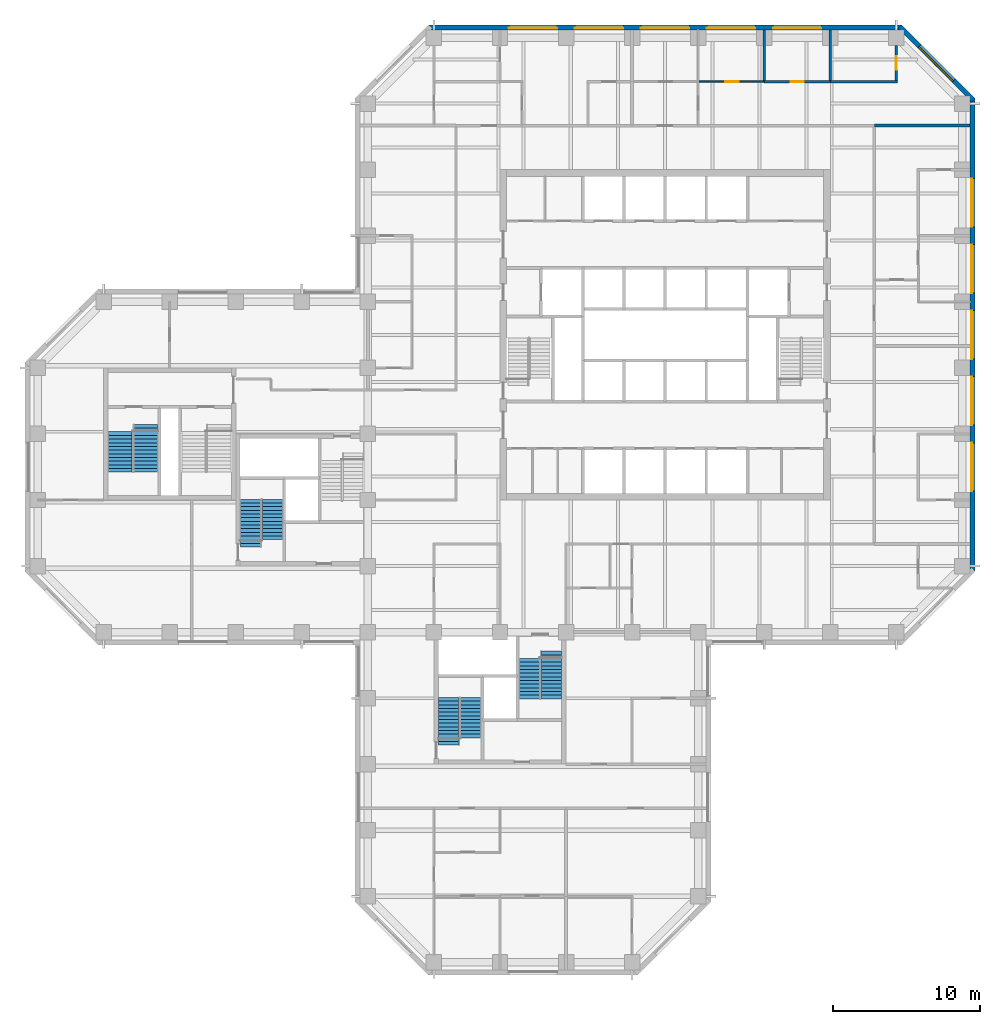
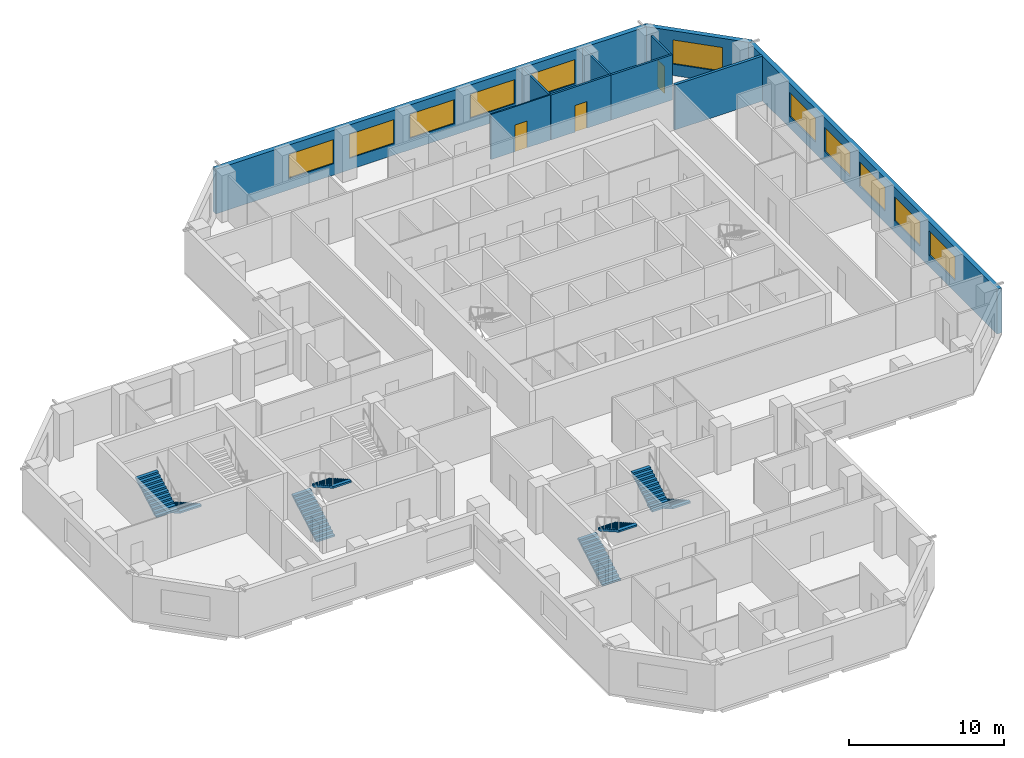
# One storey, part 9 of 11: 11 windows, 10 walls, 8 stair flights, 3 doors, 14 openings, 4 elements without a shape of their own.
"""IFC4 building model written with IfcOpenShell, lengths in metres."""

from ifc_helpers import new_model, si_unit, direction, frame, frame_2d, origin, place, context, subcontext, project, spatial, polyline, rectangle, outline, extrude, material, layer, layer_set, constituent, constituent_set, type_object, element, fill, aggregate, save


model = new_model("IFC4")

# Units and contexts
model_context = context("Model", 3, precision=1e-05, world=origin(), true_north=direction((0.0, 1.0)))
body_context = subcontext(model_context, "Body", "Model", "MODEL_VIEW")
ifc_project = project(units=[si_unit("LENGTHUNIT", "METRE"), si_unit("AREAUNIT", "SQUARE_METRE"), si_unit("VOLUMEUNIT", "CUBIC_METRE"), si_unit("PLANEANGLEUNIT", "RADIAN"), si_unit("MASSUNIT", "GRAM", prefix="KILO")], contexts=[model_context])

# Site, building, storey
site_placement = place(None, origin())
site = spatial("IfcSite", under=ifc_project, at=site_placement, CompositionType="ELEMENT")
building_placement = place(site_placement, origin())
building = spatial("IfcBuilding", under=site, at=building_placement, Name="Quoin Convention Tower", CompositionType="ELEMENT")
storey_placement = place(building_placement, frame((0.0, 0.0, 123.300048828125)))
storey = spatial("IfcBuildingStorey", under=building, at=storey_placement, Name="L32", CompositionType="ELEMENT", Elevation=123.300048828125)

# Wall, opening, door
ifc_material_1 = material(Name="Plasterboard")
ifc_layer_1 = layer(ifc_material_1, 0.012451171875, Name="Finish")
ifc_material_2 = material(Name="Steel stud framing", Category="steel")
ifc_layer_2 = layer(ifc_material_2, 0.125, Name="Structure")
ifc_layer_3 = layer(ifc_material_1, 0.012451171875, Name="Finish")
ifc_layer_set_1 = layer_set([ifc_layer_1, ifc_layer_2, ifc_layer_3], Name="Steel stud framing")
wall_type_1 = type_object("IfcWallType", Name="Acoustic partition 150", PredefinedType="PARTITIONING", material=ifc_layer_set_1)
wall_1_placement = place(storey_placement, frame((63.0, 78.0, 0.0), z_axis=(0.0, 0.0, 1.0), x_axis=(1.0, 0.0, 0.0)))
wall_1 = element("IfcWall", 1, at=wall_1_placement, inside=storey, type_object=wall_type_1, Name="pw-L32-057", PredefinedType="PARTITIONING", context=body_context, shape_type="SweptSolid", body=[
    extrude(rectangle(XDim=4.5, YDim=0.14990234375, at=frame_2d((2.25, 0.0))), origin(), (0.0, 0.0, 1.0), 3.550048828125),
])
opening_1_placement = place(wall_1_placement, frame((1.800048828125, 0.0, 0.0)))
opening_1 = element("IfcOpeningElement", 2, at=opening_1_placement, cuts=wall_1, Name="Opening DOL6-22", PredefinedType="OPENING", context=body_context, shape_type="SweptSolid", body=[
    extrude(rectangle(XDim=0.89990234375, YDim=2.10009765625, at=frame_2d((0.449951171875, 1.050048828125))), frame((0.0, 0.0849609375, 0.0), z_axis=(0.0, -1.0, 0.0), x_axis=(1.0, 0.0, 0.0)), (0.0, 0.0, 1.0), 0.169921875),
])
ifc_material_3 = material(Name="Steel door leaf", Category="steel")
door_type = type_object("IfcDoorType", Name="Office door 900 x 2100", OperationType="SINGLE_SWING_RIGHT", PredefinedType="DOOR", material=ifc_material_3)
door_1_placement = place(opening_1_placement, frame((0.89990234375, 0.0, 0.0), z_axis=(0.0, 0.0, 1.0), x_axis=(-1.0, 0.0, 0.0)))
door_1 = element("IfcDoor", 3, at=door_1_placement, inside=storey, type_object=door_type, Name="dr-L32-38", OperationType="SINGLE_SWING_LEFT", OverallHeight=2.10009765625, OverallWidth=0.89990234375, PredefinedType="DOOR", context=body_context, shape_type="SweptSolid", body=[
    extrude(rectangle(XDim=0.89990234375, YDim=2.10009765625, at=frame_2d((0.449951171875, 1.050048828125))), frame((0.0, 0.02490234375, 0.0), z_axis=(0.0, -1.0, 0.0), x_axis=(1.0, 0.0, 0.0)), (0.0, 0.0, 1.0), 0.050048828125),
])
fill(opening_1, door_1)

# Walls
wall_2_placement = place(storey_placement, frame((67.5, 78.0, 0.0), z_axis=(0.0, 0.0, 1.0), x_axis=(1.0, 0.0, 0.0)))
element("IfcWall", 4, at=wall_2_placement, inside=storey, type_object=wall_type_1, Name="pw-L32-058", PredefinedType="PARTITIONING", context=body_context, shape_type="SweptSolid", body=[
    extrude(rectangle(XDim=4.574951171875, YDim=0.14990234375, at=frame_2d((2.28759765625, 0.0))), origin(), (0.0, 0.0, 1.0), 3.550048828125),
])
for number, where, z_axis, x_axis, name in (
    (5, (63.0, 78.074951171875, 0.0), (0.0, 0.0, 1.0), (0.0, 1.0, 0.0), "pw-L32-107"),
    (6, (67.5, 78.074951171875, 0.0), (0.0, 0.0, 1.0), (0.0, 1.0, 0.0), "pw-L32-108"),
):
    element("IfcWall", number, at=place(storey_placement, frame(where, z_axis=z_axis, x_axis=x_axis)), inside=storey, type_object=wall_type_1, Name=name, PredefinedType="PARTITIONING", context=body_context, shape_type="SweptSolid", body=[
        extrude(rectangle(XDim=3.449951171875, YDim=0.14990234375, at=frame_2d((1.72509765625, 0.0))), origin(), (0.0, 0.0, 1.0), 3.550048828125),
    ])

# Wall, opening, door
wall_3_placement = place(storey_placement, frame((72.0, 78.074951171875, 0.0), z_axis=(0.0, 0.0, 1.0), x_axis=(0.0, 1.0, 0.0)))
wall_3 = element("IfcWall", 7, at=wall_3_placement, inside=storey, type_object=wall_type_1, Name="pw-L32-109", PredefinedType="PARTITIONING", context=body_context, shape_type="SweptSolid", body=[
    extrude(rectangle(XDim=2.400146484375, YDim=0.14990234375, at=frame_2d((1.2001953125, 0.0))), origin(), (0.0, 0.0, 1.0), 3.550048828125),
])
opening_2_placement = place(wall_3_placement, frame((0.75, 0.0, 0.0)))
opening_2 = element("IfcOpeningElement", 8, at=opening_2_placement, cuts=wall_3, Name="Opening DOL6-37", PredefinedType="OPENING", context=body_context, shape_type="SweptSolid", body=[
    extrude(rectangle(XDim=0.89990234375, YDim=2.10009765625, at=frame_2d((0.449951171875, 1.050048828125))), frame((0.0, 0.0849609375, 0.0), z_axis=(0.0, -1.0, 0.0), x_axis=(1.0, 0.0, 0.0)), (0.0, 0.0, 1.0), 0.169921875),
])
door_2_placement = place(opening_2_placement, frame((0.89990234375, 0.0, 0.0), z_axis=(0.0, 0.0, 1.0), x_axis=(-1.0, 0.0, 0.0)))
door_2 = element("IfcDoor", 9, at=door_2_placement, inside=storey, type_object=door_type, Name="dr-L32-39", OperationType="SINGLE_SWING_LEFT", OverallHeight=2.10009765625, OverallWidth=0.89990234375, PredefinedType="DOOR", context=body_context, shape_type="SweptSolid", body=[
    extrude(rectangle(XDim=0.89990234375, YDim=2.10009765625, at=frame_2d((0.449951171875, 1.050048828125))), frame((0.0, 0.02490234375, 0.0), z_axis=(0.0, -1.0, 0.0), x_axis=(1.0, 0.0, 0.0)), (0.0, 0.0, 1.0), 0.050048828125),
])
fill(opening_2, door_2)

# Wall, openings, windows
ifc_material_4 = material(Name="Brick masonry", Category="masonry")
ifc_layer_4 = layer(ifc_material_4, 0.35009765625)
ifc_layer_set_2 = layer_set([ifc_layer_4], Name="Brick masonry")
wall_type_2 = type_object("IfcWallType", Name="Brick facade wall", PredefinedType="STANDARD", material=ifc_layer_set_2)
wall_4_placement = place(storey_placement, frame((77.199951171875, 44.6376953125, 0.0), z_axis=(0.0, 0.0, 1.0), x_axis=(0.0, 1.0, 0.0)))
wall_4 = element("IfcWall", 10, at=wall_4_placement, inside=storey, type_object=wall_type_2, Name="fw-L32-76500_45000", PredefinedType="STANDARD", context=body_context, shape_type="SweptSolid", body=[
    extrude(rectangle(XDim=32.224609375, YDim=0.35009765625, at=frame_2d((16.1123046875, 0.0))), origin(), (0.0, 0.0, 1.0), 3.52490234375),
])
opening_3_placement = place(wall_4_placement, frame((5.46240234375, 0.0, 0.89990234375)))
opening_3 = element("IfcOpeningElement", 11, at=opening_3_placement, cuts=wall_4, Name="Opening W-02", PredefinedType="OPENING", context=body_context, shape_type="SweptSolid", body=[
    extrude(rectangle(XDim=3.300048828125, YDim=1.89990234375, at=frame_2d((1.64990234375, 0.949951171875))), frame((0.0, 0.18505859375, 0.0), z_axis=(0.0, -1.0, 0.0), x_axis=(1.0, 0.0, 0.0)), (0.0, 0.0, 1.0), 0.3701171875),
])
opening_4_placement = place(wall_4_placement, frame((9.96240234375, 0.0, 0.89990234375)))
opening_4 = element("IfcOpeningElement", 12, at=opening_4_placement, cuts=wall_4, Name="Opening W-02", PredefinedType="OPENING", context=body_context, shape_type="SweptSolid", body=[
    extrude(rectangle(XDim=3.300048828125, YDim=1.89990234375, at=frame_2d((1.64990234375, 0.949951171875))), frame((0.0, 0.18505859375, 0.0), z_axis=(0.0, -1.0, 0.0), x_axis=(1.0, 0.0, 0.0)), (0.0, 0.0, 1.0), 0.3701171875),
])
opening_5_placement = place(wall_4_placement, frame((14.46240234375, 0.0, 0.89990234375)))
opening_5 = element("IfcOpeningElement", 13, at=opening_5_placement, cuts=wall_4, Name="Opening W-02", PredefinedType="OPENING", context=body_context, shape_type="SweptSolid", body=[
    extrude(rectangle(XDim=3.300048828125, YDim=1.89990234375, at=frame_2d((1.64990234375, 0.949951171875))), frame((0.0, 0.18505859375, 0.0), z_axis=(0.0, -1.0, 0.0), x_axis=(1.0, 0.0, 0.0)), (0.0, 0.0, 1.0), 0.3701171875),
])
opening_6_placement = place(wall_4_placement, frame((18.96240234375, 0.0, 0.89990234375)))
opening_6 = element("IfcOpeningElement", 14, at=opening_6_placement, cuts=wall_4, Name="Opening W-02", PredefinedType="OPENING", context=body_context, shape_type="SweptSolid", body=[
    extrude(rectangle(XDim=3.300048828125, YDim=1.89990234375, at=frame_2d((1.64990234375, 0.949951171875))), frame((0.0, 0.18505859375, 0.0), z_axis=(0.0, -1.0, 0.0), x_axis=(1.0, 0.0, 0.0)), (0.0, 0.0, 1.0), 0.3701171875),
])
opening_7_placement = place(wall_4_placement, frame((23.46240234375, 0.0, 0.89990234375)))
opening_7 = element("IfcOpeningElement", 15, at=opening_7_placement, cuts=wall_4, Name="Opening W-02", PredefinedType="OPENING", context=body_context, shape_type="SweptSolid", body=[
    extrude(rectangle(XDim=3.300048828125, YDim=1.89990234375, at=frame_2d((1.64990234375, 0.949951171875))), frame((0.0, 0.18505859375, 0.0), z_axis=(0.0, -1.0, 0.0), x_axis=(1.0, 0.0, 0.0)), (0.0, 0.0, 1.0), 0.3701171875),
])
ifc_material_5 = material(Name="Aluminium", Category="aluminium")
ifc_constituent_1 = constituent(ifc_material_5, Name="Frame")
ifc_material_6 = material(Name="Insulated glass", Category="glass")
ifc_constituent_2 = constituent(ifc_material_6, Name="Glazing")
ifc_constituent_set = constituent_set(constituents=[ifc_constituent_1, ifc_constituent_2], Name="Aluminium")
window_type = type_object("IfcWindowType", Name="Office window", PartitioningType="DOUBLE_PANEL_VERTICAL", PredefinedType="WINDOW", material=ifc_constituent_set)
window_1_placement = place(opening_3_placement, origin())
window_1 = element("IfcWindow", 16, at=window_1_placement, inside=storey, type_object=window_type, Name="win-L32-77200_51750", OverallHeight=1.89990234375, OverallWidth=3.300048828125, PartitioningType="SINGLE_PANEL", PredefinedType="WINDOW", context=body_context, shape_type="SweptSolid", body=[
    extrude(rectangle(XDim=3.300048828125, YDim=1.89990234375, at=frame_2d((1.64990234375, 0.949951171875))), frame((0.0, 0.0849609375, 0.0), z_axis=(0.0, -1.0, 0.0), x_axis=(1.0, 0.0, 0.0)), (0.0, 0.0, 1.0), 0.06005859375),
])
fill(opening_3, window_1)
window_2_placement = place(opening_4_placement, origin())
window_2 = element("IfcWindow", 17, at=window_2_placement, inside=storey, type_object=window_type, Name="win-L32-77200_56250", OverallHeight=1.89990234375, OverallWidth=3.300048828125, PartitioningType="SINGLE_PANEL", PredefinedType="WINDOW", context=body_context, shape_type="SweptSolid", body=[
    extrude(rectangle(XDim=3.300048828125, YDim=1.89990234375, at=frame_2d((1.64990234375, 0.949951171875))), frame((0.0, 0.0849609375, 0.0), z_axis=(0.0, -1.0, 0.0), x_axis=(1.0, 0.0, 0.0)), (0.0, 0.0, 1.0), 0.06005859375),
])
fill(opening_4, window_2)
window_3_placement = place(opening_5_placement, origin())
window_3 = element("IfcWindow", 18, at=window_3_placement, inside=storey, type_object=window_type, Name="win-L32-77200_60750", OverallHeight=1.89990234375, OverallWidth=3.300048828125, PartitioningType="SINGLE_PANEL", PredefinedType="WINDOW", context=body_context, shape_type="SweptSolid", body=[
    extrude(rectangle(XDim=3.300048828125, YDim=1.89990234375, at=frame_2d((1.64990234375, 0.949951171875))), frame((0.0, 0.0849609375, 0.0), z_axis=(0.0, -1.0, 0.0), x_axis=(1.0, 0.0, 0.0)), (0.0, 0.0, 1.0), 0.06005859375),
])
fill(opening_5, window_3)
window_4_placement = place(opening_6_placement, origin())
window_4 = element("IfcWindow", 19, at=window_4_placement, inside=storey, type_object=window_type, Name="win-L32-77200_65250", OverallHeight=1.89990234375, OverallWidth=3.300048828125, PartitioningType="SINGLE_PANEL", PredefinedType="WINDOW", context=body_context, shape_type="SweptSolid", body=[
    extrude(rectangle(XDim=3.300048828125, YDim=1.89990234375, at=frame_2d((1.64990234375, 0.949951171875))), frame((0.0, 0.0849609375, 0.0), z_axis=(0.0, -1.0, 0.0), x_axis=(1.0, 0.0, 0.0)), (0.0, 0.0, 1.0), 0.06005859375),
])
fill(opening_6, window_4)
window_5_placement = place(opening_7_placement, origin())
window_5 = element("IfcWindow", 20, at=window_5_placement, inside=storey, type_object=window_type, Name="win-L32-77200_69750", OverallHeight=1.89990234375, OverallWidth=3.300048828125, PartitioningType="SINGLE_PANEL", PredefinedType="WINDOW", context=body_context, shape_type="SweptSolid", body=[
    extrude(rectangle(XDim=3.300048828125, YDim=1.89990234375, at=frame_2d((1.64990234375, 0.949951171875))), frame((0.0, 0.0849609375, 0.0), z_axis=(0.0, -1.0, 0.0), x_axis=(1.0, 0.0, 0.0)), (0.0, 0.0, 1.0), 0.06005859375),
])
fill(opening_7, window_5)

# Wall, opening, window
wall_5_placement = place(storey_placement, frame((77.251220703125, 76.73876953125, 0.0), z_axis=(0.0, 0.0, 1.0), x_axis=(-0.707106781187, 0.707106781187, 0.0)))
wall_5 = element("IfcWall", 21, at=wall_5_placement, inside=storey, type_object=wall_type_2, Name="fw-L32-76500_76500", PredefinedType="STANDARD", context=body_context, shape_type="SweptSolid", body=[
    extrude(rectangle(XDim=7.088623046875, YDim=0.35009765625, at=frame_2d((3.54443359375, 0.0))), origin(), (0.0, 0.0, 1.0), 3.52490234375),
])
opening_8_placement = place(wall_5_placement, frame((1.894287109375, 0.0, 0.89990234375)))
opening_8 = element("IfcOpeningElement", 22, at=opening_8_placement, cuts=wall_5, Name="Opening W-02", PredefinedType="OPENING", context=body_context, shape_type="SweptSolid", body=[
    extrude(rectangle(XDim=3.300048828125, YDim=1.89990234375, at=frame_2d((1.64990234375, 0.949951171875))), frame((0.0, 0.18505859375, 0.0), z_axis=(0.0, -1.0, 0.0), x_axis=(1.0, 0.0, 0.0)), (0.0, 0.0, 1.0), 0.3701171875),
])
window_6_placement = place(opening_8_placement, origin())
window_6 = element("IfcWindow", 23, at=window_6_placement, inside=storey, type_object=window_type, Name="win-L32-74745_79245", OverallHeight=1.89990234375, OverallWidth=3.300048828125, PartitioningType="SINGLE_PANEL", PredefinedType="WINDOW", context=body_context, shape_type="SweptSolid", body=[
    extrude(rectangle(XDim=3.300048828125, YDim=1.89990234375, at=frame_2d((1.64990234375, 0.949951171875))), frame((0.0, 0.0849609375, 0.0), z_axis=(0.0, -1.0, 0.0), x_axis=(1.0, 0.0, 0.0)), (0.0, 0.0, 1.0), 0.06005859375),
])
fill(opening_8, window_6)

# Wall, openings, windows
wall_6_placement = place(storey_placement, frame((72.3623046875, 81.699951171875, 0.0), z_axis=(0.0, 0.0, 1.0), x_axis=(-1.0, 0.0, 0.0)))
wall_6 = element("IfcWall", 24, at=wall_6_placement, inside=storey, type_object=wall_type_2, Name="fw-L32-72000_81000", PredefinedType="STANDARD", context=body_context, shape_type="SweptSolid", body=[
    extrude(rectangle(XDim=32.224609375, YDim=0.35009765625, at=frame_2d((16.1123046875, 0.0))), origin(), (0.0, 0.0, 1.0), 3.52490234375),
])
opening_9_placement = place(wall_6_placement, frame((5.46240234375, 0.0, 0.89990234375)))
opening_9 = element("IfcOpeningElement", 25, at=opening_9_placement, cuts=wall_6, Name="Opening W-02", PredefinedType="OPENING", context=body_context, shape_type="SweptSolid", body=[
    extrude(rectangle(XDim=3.300048828125, YDim=1.89990234375, at=frame_2d((1.64990234375, 0.949951171875))), frame((0.0, 0.18505859375, 0.0), z_axis=(0.0, -1.0, 0.0), x_axis=(1.0, 0.0, 0.0)), (0.0, 0.0, 1.0), 0.3701171875),
])
opening_10_placement = place(wall_6_placement, frame((9.96240234375, 0.0, 0.89990234375)))
opening_10 = element("IfcOpeningElement", 26, at=opening_10_placement, cuts=wall_6, Name="Opening W-02", PredefinedType="OPENING", context=body_context, shape_type="SweptSolid", body=[
    extrude(rectangle(XDim=3.300048828125, YDim=1.89990234375, at=frame_2d((1.64990234375, 0.949951171875))), frame((0.0, 0.18505859375, 0.0), z_axis=(0.0, -1.0, 0.0), x_axis=(1.0, 0.0, 0.0)), (0.0, 0.0, 1.0), 0.3701171875),
])
opening_11_placement = place(wall_6_placement, frame((14.46240234375, 0.0, 0.89990234375)))
opening_11 = element("IfcOpeningElement", 27, at=opening_11_placement, cuts=wall_6, Name="Opening W-02", PredefinedType="OPENING", context=body_context, shape_type="SweptSolid", body=[
    extrude(rectangle(XDim=3.300048828125, YDim=1.89990234375, at=frame_2d((1.64990234375, 0.949951171875))), frame((0.0, 0.18505859375, 0.0), z_axis=(0.0, -1.0, 0.0), x_axis=(1.0, 0.0, 0.0)), (0.0, 0.0, 1.0), 0.3701171875),
])
opening_12_placement = place(wall_6_placement, frame((18.96240234375, 0.0, 0.89990234375)))
opening_12 = element("IfcOpeningElement", 28, at=opening_12_placement, cuts=wall_6, Name="Opening W-02", PredefinedType="OPENING", context=body_context, shape_type="SweptSolid", body=[
    extrude(rectangle(XDim=3.300048828125, YDim=1.89990234375, at=frame_2d((1.64990234375, 0.949951171875))), frame((0.0, 0.18505859375, 0.0), z_axis=(0.0, -1.0, 0.0), x_axis=(1.0, 0.0, 0.0)), (0.0, 0.0, 1.0), 0.3701171875),
])
opening_13_placement = place(wall_6_placement, frame((23.46240234375, 0.0, 0.89990234375)))
opening_13 = element("IfcOpeningElement", 29, at=opening_13_placement, cuts=wall_6, Name="Opening W-02", PredefinedType="OPENING", context=body_context, shape_type="SweptSolid", body=[
    extrude(rectangle(XDim=3.300048828125, YDim=1.89990234375, at=frame_2d((1.64990234375, 0.949951171875))), frame((0.0, 0.18505859375, 0.0), z_axis=(0.0, -1.0, 0.0), x_axis=(1.0, 0.0, 0.0)), (0.0, 0.0, 1.0), 0.3701171875),
])
window_7_placement = place(opening_9_placement, origin())
window_7 = element("IfcWindow", 30, at=window_7_placement, inside=storey, type_object=window_type, Name="win-L32-65250_81700", OverallHeight=1.89990234375, OverallWidth=3.300048828125, PartitioningType="SINGLE_PANEL", PredefinedType="WINDOW", context=body_context, shape_type="SweptSolid", body=[
    extrude(rectangle(XDim=3.300048828125, YDim=1.89990234375, at=frame_2d((1.64990234375, 0.949951171875))), frame((0.0, 0.0849609375, 0.0), z_axis=(0.0, -1.0, 0.0), x_axis=(1.0, 0.0, 0.0)), (0.0, 0.0, 1.0), 0.06005859375),
])
fill(opening_9, window_7)
window_8_placement = place(opening_10_placement, origin())
window_8 = element("IfcWindow", 31, at=window_8_placement, inside=storey, type_object=window_type, Name="win-L32-60750_81700", OverallHeight=1.89990234375, OverallWidth=3.300048828125, PartitioningType="SINGLE_PANEL", PredefinedType="WINDOW", context=body_context, shape_type="SweptSolid", body=[
    extrude(rectangle(XDim=3.300048828125, YDim=1.89990234375, at=frame_2d((1.64990234375, 0.949951171875))), frame((0.0, 0.0849609375, 0.0), z_axis=(0.0, -1.0, 0.0), x_axis=(1.0, 0.0, 0.0)), (0.0, 0.0, 1.0), 0.06005859375),
])
fill(opening_10, window_8)
window_9_placement = place(opening_11_placement, origin())
window_9 = element("IfcWindow", 32, at=window_9_placement, inside=storey, type_object=window_type, Name="win-L32-56250_81700", OverallHeight=1.89990234375, OverallWidth=3.300048828125, PartitioningType="SINGLE_PANEL", PredefinedType="WINDOW", context=body_context, shape_type="SweptSolid", body=[
    extrude(rectangle(XDim=3.300048828125, YDim=1.89990234375, at=frame_2d((1.64990234375, 0.949951171875))), frame((0.0, 0.0849609375, 0.0), z_axis=(0.0, -1.0, 0.0), x_axis=(1.0, 0.0, 0.0)), (0.0, 0.0, 1.0), 0.06005859375),
])
fill(opening_11, window_9)
window_10_placement = place(opening_12_placement, origin())
window_10 = element("IfcWindow", 33, at=window_10_placement, inside=storey, type_object=window_type, Name="win-L32-51750_81700", OverallHeight=1.89990234375, OverallWidth=3.300048828125, PartitioningType="SINGLE_PANEL", PredefinedType="WINDOW", context=body_context, shape_type="SweptSolid", body=[
    extrude(rectangle(XDim=3.300048828125, YDim=1.89990234375, at=frame_2d((1.64990234375, 0.949951171875))), frame((0.0, 0.0849609375, 0.0), z_axis=(0.0, -1.0, 0.0), x_axis=(1.0, 0.0, 0.0)), (0.0, 0.0, 1.0), 0.06005859375),
])
fill(opening_12, window_10)
window_11_placement = place(opening_13_placement, origin())
window_11 = element("IfcWindow", 34, at=window_11_placement, inside=storey, type_object=window_type, Name="win-L32-47250_81700", OverallHeight=1.89990234375, OverallWidth=3.300048828125, PartitioningType="SINGLE_PANEL", PredefinedType="WINDOW", context=body_context, shape_type="SweptSolid", body=[
    extrude(rectangle(XDim=3.300048828125, YDim=1.89990234375, at=frame_2d((1.64990234375, 0.949951171875))), frame((0.0, 0.0849609375, 0.0), z_axis=(0.0, -1.0, 0.0), x_axis=(1.0, 0.0, 0.0)), (0.0, 0.0, 1.0), 0.06005859375),
])
fill(opening_13, window_11)

# Wall, opening, door
ifc_layer_5 = layer(ifc_material_1, 0.012451171875, Name="Finish")
ifc_layer_6 = layer(ifc_material_2, 0.074951171875, Name="Structure")
ifc_layer_7 = layer(ifc_material_1, 0.012451171875, Name="Finish")
ifc_layer_set_3 = layer_set([ifc_layer_5, ifc_layer_6, ifc_layer_7], Name="Steel stud framing")
wall_type_3 = type_object("IfcWallType", Name="Stud partition 100", PredefinedType="PARTITIONING", material=ifc_layer_set_3)
wall_7_placement = place(storey_placement, frame((58.550048828125, 78.0, 0.0), z_axis=(0.0, 0.0, 1.0), x_axis=(1.0, 0.0, 0.0)))
wall_7 = element("IfcWall", 35, at=wall_7_placement, inside=storey, type_object=wall_type_3, Name="pw-L32-056", PredefinedType="PARTITIONING", context=body_context, shape_type="SweptSolid", body=[
    extrude(rectangle(XDim=4.449951171875, YDim=0.10009765625, at=frame_2d((2.22509765625, 0.0))), origin(), (0.0, 0.0, 1.0), 3.550048828125),
])
opening_14_placement = place(wall_7_placement, frame((1.800048828125, 0.0, 0.0)))
opening_14 = element("IfcOpeningElement", 36, at=opening_14_placement, cuts=wall_7, Name="Opening DOL6-21", PredefinedType="OPENING", context=body_context, shape_type="SweptSolid", body=[
    extrude(rectangle(XDim=0.89990234375, YDim=2.10009765625, at=frame_2d((0.449951171875, 1.050048828125))), frame((0.0, 0.06005859375, 0.0), z_axis=(0.0, -1.0, 0.0), x_axis=(1.0, 0.0, 0.0)), (0.0, 0.0, 1.0), 0.1201171875),
])
door_3_placement = place(opening_14_placement, frame((0.89990234375, 0.0, 0.0), z_axis=(0.0, 0.0, 1.0), x_axis=(-1.0, 0.0, 0.0)))
door_3 = element("IfcDoor", 37, at=door_3_placement, inside=storey, type_object=door_type, Name="dr-L32-37", OperationType="SINGLE_SWING_LEFT", OverallHeight=2.10009765625, OverallWidth=0.89990234375, PredefinedType="DOOR", context=body_context, shape_type="SweptSolid", body=[
    extrude(rectangle(XDim=0.89990234375, YDim=2.10009765625, at=frame_2d((0.449951171875, 1.050048828125))), frame((0.0, 0.02490234375, 0.0), z_axis=(0.0, -1.0, 0.0), x_axis=(1.0, 0.0, 0.0)), (0.0, 0.0, 1.0), 0.050048828125),
])
fill(opening_14, door_3)

# Wall
ifc_layer_8 = layer(ifc_material_1, 0.012451171875, Name="Finish")
ifc_layer_9 = layer(ifc_material_2, 0.175048828125, Name="Structure")
ifc_layer_10 = layer(ifc_material_1, 0.012451171875, Name="Finish")
ifc_layer_set_4 = layer_set([ifc_layer_8, ifc_layer_9, ifc_layer_10], Name="Steel stud framing")
wall_type_4 = type_object("IfcWallType", Name="Tenancy demising wall 200", PredefinedType="PARTITIONING", material=ifc_layer_set_4)
wall_8_placement = place(storey_placement, frame((70.5, 75.0, 0.0), z_axis=(0.0, 0.0, 1.0), x_axis=(1.0, 0.0, 0.0)))
element("IfcWall", 38, at=wall_8_placement, inside=storey, type_object=wall_type_4, Name="pw-L32-051", PredefinedType="PARTITIONING", context=body_context, shape_type="SweptSolid", body=[
    extrude(rectangle(XDim=6.52490234375, YDim=0.199951171875, at=frame_2d((3.262451171875, 0.0))), origin(), (0.0, 0.0, 1.0), 3.550048828125),
])

# Stair, stair flights
ifc_material_7 = material(Name="Concrete C40", Category="concrete")
stair_type_1 = type_object("IfcStairType", Name="Exit stair two-flight 1350", PredefinedType="HALF_TURN_STAIR", material=ifc_material_7)
stair_1_placement = place(storey_placement, origin())
stair_1 = element("IfcStair", 39, at=stair_1_placement, inside=storey, type_object=stair_type_1, Name="SD3 L32", PredefinedType="HALF_TURN_STAIR")
stair_flight_type_1 = type_object("IfcStairFlightType", Name="Stair flight 1350", PredefinedType="STRAIGHT", material=ifc_material_7)
stair_flight_1_placement = place(storey_placement, frame((28.0, 46.300048828125, 0.0), z_axis=(0.0, 0.0, 1.0), x_axis=(0.0, 1.0, 0.0)))
stair_flight_1 = element("IfcStairFlight", 40, at=stair_flight_1_placement, type_object=stair_flight_type_1, Name="ST3 flight 1", NumberOfRisers=14, NumberOfTreads=13, PredefinedType="STRAIGHT", RiserHeight=0.142307692, TreadLength=0.25, context=body_context, shape_type="SweptSolid", body=[
    extrude(outline(polyline([(0.0, 0.0), (0.0, 0.142333984375), (0.25, 0.142333984375), (0.25, 0.28466796875), (0.5, 0.28466796875), (0.5, 0.427001953125), (0.75, 0.427001953125), (0.75, 0.5693359375), (1.0, 0.5693359375), (1.0, 0.71142578125), (1.25, 0.71142578125), (1.25, 0.853759765625), (1.5, 0.853759765625), (1.5, 0.99609375), (1.75, 0.99609375), (1.75, 1.138427734375), (2.0, 1.138427734375), (2.0, 1.28076171875), (2.25, 1.28076171875), (2.25, 1.423095703125), (2.5, 1.423095703125), (2.5, 1.5654296875), (2.75, 1.5654296875), (2.75, 1.707763671875), (3.0, 1.707763671875), (3.0, 1.85009765625), (3.25, 1.85009765625), (3.25, 1.9921875), (3.25, 1.711669921875), (0.242919921875, 0.0), (0.0, 0.0)])), frame((0.0, 0.675048828125, 0.0), z_axis=(0.0, -1.0, 0.0), x_axis=(1.0, 0.0, 0.0)), (0.0, 0.0, 1.0), 1.35009765625),
])
stair_flight_2_placement = place(storey_placement, frame((29.5, 49.550048828125, 1.9921875), z_axis=(0.0, 0.0, 1.0), x_axis=(0.0, -1.0, 0.0)))
stair_flight_2 = element("IfcStairFlight", 41, at=stair_flight_2_placement, type_object=stair_flight_type_1, Name="ST3 flight 2", NumberOfRisers=12, NumberOfTreads=11, PredefinedType="STRAIGHT", RiserHeight=0.142307692, TreadLength=0.25, context=body_context, shape_type="SweptSolid", body=[
    extrude(outline(polyline([(0.0, 0.0), (0.0, 0.142333984375), (0.25, 0.142333984375), (0.25, 0.28466796875), (0.5, 0.28466796875), (0.5, 0.427001953125), (0.75, 0.427001953125), (0.75, 0.5693359375), (1.0, 0.5693359375), (1.0, 0.71142578125), (1.25, 0.71142578125), (1.25, 0.853759765625), (1.5, 0.853759765625), (1.5, 0.99609375), (1.75, 0.99609375), (1.75, 1.138427734375), (2.0, 1.138427734375), (2.0, 1.28076171875), (2.25, 1.28076171875), (2.25, 1.423095703125), (2.5, 1.423095703125), (2.5, 1.5654296875), (2.75, 1.5654296875), (2.75, 1.707763671875), (2.75, 1.42724609375), (0.242919921875, 0.0), (0.0, 0.0)])), frame((0.0, 0.675048828125, 0.0), z_axis=(0.0, -1.0, 0.0), x_axis=(1.0, 0.0, 0.0)), (0.0, 0.0, 1.0), 1.35009765625),
])
aggregate(stair_1, [stair_flight_1, stair_flight_2])

stair_2_placement = place(storey_placement, origin())
stair_2 = element("IfcStair", 42, at=stair_2_placement, inside=storey, type_object=stair_type_1, Name="SD5 L32", PredefinedType="HALF_TURN_STAIR")
stair_flight_3_placement = place(storey_placement, frame((41.5, 32.800048828125, 0.0), z_axis=(0.0, 0.0, 1.0), x_axis=(0.0, 1.0, 0.0)))
stair_flight_3 = element("IfcStairFlight", 43, at=stair_flight_3_placement, type_object=stair_flight_type_1, Name="ST5 flight 1", NumberOfRisers=14, NumberOfTreads=13, PredefinedType="STRAIGHT", RiserHeight=0.142307692, TreadLength=0.25, context=body_context, shape_type="SweptSolid", body=[
    extrude(outline(polyline([(0.0, 0.0), (0.0, 0.142333984375), (0.25, 0.142333984375), (0.25, 0.28466796875), (0.5, 0.28466796875), (0.5, 0.427001953125), (0.75, 0.427001953125), (0.75, 0.5693359375), (1.0, 0.5693359375), (1.0, 0.71142578125), (1.25, 0.71142578125), (1.25, 0.853759765625), (1.5, 0.853759765625), (1.5, 0.99609375), (1.75, 0.99609375), (1.75, 1.138427734375), (2.0, 1.138427734375), (2.0, 1.28076171875), (2.25, 1.28076171875), (2.25, 1.423095703125), (2.5, 1.423095703125), (2.5, 1.5654296875), (2.75, 1.5654296875), (2.75, 1.707763671875), (3.0, 1.707763671875), (3.0, 1.85009765625), (3.25, 1.85009765625), (3.25, 1.9921875), (3.25, 1.711669921875), (0.242919921875, 0.0), (0.0, 0.0)])), frame((0.0, 0.675048828125, 0.0), z_axis=(0.0, -1.0, 0.0), x_axis=(1.0, 0.0, 0.0)), (0.0, 0.0, 1.0), 1.35009765625),
])
stair_flight_4_placement = place(storey_placement, frame((43.0, 36.050048828125, 1.9921875), z_axis=(0.0, 0.0, 1.0), x_axis=(0.0, -1.0, 0.0)))
stair_flight_4 = element("IfcStairFlight", 44, at=stair_flight_4_placement, type_object=stair_flight_type_1, Name="ST5 flight 2", NumberOfRisers=12, NumberOfTreads=11, PredefinedType="STRAIGHT", RiserHeight=0.142307692, TreadLength=0.25, context=body_context, shape_type="SweptSolid", body=[
    extrude(outline(polyline([(0.0, 0.0), (0.0, 0.142333984375), (0.25, 0.142333984375), (0.25, 0.28466796875), (0.5, 0.28466796875), (0.5, 0.427001953125), (0.75, 0.427001953125), (0.75, 0.5693359375), (1.0, 0.5693359375), (1.0, 0.71142578125), (1.25, 0.71142578125), (1.25, 0.853759765625), (1.5, 0.853759765625), (1.5, 0.99609375), (1.75, 0.99609375), (1.75, 1.138427734375), (2.0, 1.138427734375), (2.0, 1.28076171875), (2.25, 1.28076171875), (2.25, 1.423095703125), (2.5, 1.423095703125), (2.5, 1.5654296875), (2.75, 1.5654296875), (2.75, 1.707763671875), (2.75, 1.42724609375), (0.242919921875, 0.0), (0.0, 0.0)])), frame((0.0, 0.675048828125, 0.0), z_axis=(0.0, -1.0, 0.0), x_axis=(1.0, 0.0, 0.0)), (0.0, 0.0, 1.0), 1.35009765625),
])
aggregate(stair_2, [stair_flight_3, stair_flight_4])

stair_3_placement = place(storey_placement, origin())
stair_3 = element("IfcStair", 45, at=stair_3_placement, inside=storey, type_object=stair_type_1, Name="SD6 L32", PredefinedType="HALF_TURN_STAIR")
stair_flight_5_placement = place(storey_placement, frame((48.5, 39.199951171875, 0.0), z_axis=(0.0, 0.0, 1.0), x_axis=(0.0, -1.0, 0.0)))
stair_flight_5 = element("IfcStairFlight", 46, at=stair_flight_5_placement, type_object=stair_flight_type_1, Name="ST6 flight 1", NumberOfRisers=14, NumberOfTreads=13, PredefinedType="STRAIGHT", RiserHeight=0.142307692, TreadLength=0.25, context=body_context, shape_type="SweptSolid", body=[
    extrude(outline(polyline([(0.0, 0.0), (0.0, 0.142333984375), (0.25, 0.142333984375), (0.25, 0.28466796875), (0.5, 0.28466796875), (0.5, 0.427001953125), (0.75, 0.427001953125), (0.75, 0.5693359375), (1.0, 0.5693359375), (1.0, 0.71142578125), (1.25, 0.71142578125), (1.25, 0.853759765625), (1.5, 0.853759765625), (1.5, 0.99609375), (1.75, 0.99609375), (1.75, 1.138427734375), (2.0, 1.138427734375), (2.0, 1.28076171875), (2.25, 1.28076171875), (2.25, 1.423095703125), (2.5, 1.423095703125), (2.5, 1.5654296875), (2.75, 1.5654296875), (2.75, 1.707763671875), (3.0, 1.707763671875), (3.0, 1.85009765625), (3.25, 1.85009765625), (3.25, 1.9921875), (3.25, 1.711669921875), (0.242919921875, 0.0), (0.0, 0.0)])), frame((0.0, 0.675048828125, 0.0), z_axis=(0.0, -1.0, 0.0), x_axis=(1.0, 0.0, 0.0)), (0.0, 0.0, 1.0), 1.35009765625),
])
stair_flight_6_placement = place(storey_placement, frame((47.0, 35.949951171875, 1.9921875), z_axis=(0.0, 0.0, 1.0), x_axis=(0.0, 1.0, 0.0)))
stair_flight_6 = element("IfcStairFlight", 47, at=stair_flight_6_placement, type_object=stair_flight_type_1, Name="ST6 flight 2", NumberOfRisers=12, NumberOfTreads=11, PredefinedType="STRAIGHT", RiserHeight=0.142307692, TreadLength=0.25, context=body_context, shape_type="SweptSolid", body=[
    extrude(outline(polyline([(0.0, 0.0), (0.0, 0.142333984375), (0.25, 0.142333984375), (0.25, 0.28466796875), (0.5, 0.28466796875), (0.5, 0.427001953125), (0.75, 0.427001953125), (0.75, 0.5693359375), (1.0, 0.5693359375), (1.0, 0.71142578125), (1.25, 0.71142578125), (1.25, 0.853759765625), (1.5, 0.853759765625), (1.5, 0.99609375), (1.75, 0.99609375), (1.75, 1.138427734375), (2.0, 1.138427734375), (2.0, 1.28076171875), (2.25, 1.28076171875), (2.25, 1.423095703125), (2.5, 1.423095703125), (2.5, 1.5654296875), (2.75, 1.5654296875), (2.75, 1.707763671875), (2.75, 1.42724609375), (0.242919921875, 0.0), (0.0, 0.0)])), frame((0.0, 0.675048828125, 0.0), z_axis=(0.0, -1.0, 0.0), x_axis=(1.0, 0.0, 0.0)), (0.0, 0.0, 1.0), 1.35009765625),
])
aggregate(stair_3, [stair_flight_5, stair_flight_6])

stair_type_2 = type_object("IfcStairType", Name="Exit stair two-flight 1600", PredefinedType="HALF_TURN_STAIR", material=ifc_material_7)
stair_4_placement = place(storey_placement, origin())
stair_4 = element("IfcStair", 48, at=stair_4_placement, inside=storey, type_object=stair_type_2, Name="SD11 L32", PredefinedType="HALF_TURN_STAIR")
stair_flight_type_2 = type_object("IfcStairFlightType", Name="Stair flight 1600", PredefinedType="STRAIGHT", material=ifc_material_7)
stair_flight_7_placement = place(storey_placement, frame((20.875, 54.64990234375, 0.0), z_axis=(0.0, 0.0, 1.0), x_axis=(0.0, -1.0, 0.0)))
stair_flight_7 = element("IfcStairFlight", 49, at=stair_flight_7_placement, type_object=stair_flight_type_2, Name="ST11 flight 1", NumberOfRisers=14, NumberOfTreads=13, PredefinedType="STRAIGHT", RiserHeight=0.142307692, TreadLength=0.25, context=body_context, shape_type="SweptSolid", body=[
    extrude(outline(polyline([(0.0, 0.0), (0.0, 0.142333984375), (0.25, 0.142333984375), (0.25, 0.28466796875), (0.5, 0.28466796875), (0.5, 0.427001953125), (0.75, 0.427001953125), (0.75, 0.5693359375), (1.0, 0.5693359375), (1.0, 0.71142578125), (1.25, 0.71142578125), (1.25, 0.853759765625), (1.5, 0.853759765625), (1.5, 0.99609375), (1.75, 0.99609375), (1.75, 1.138427734375), (2.0, 1.138427734375), (2.0, 1.28076171875), (2.25, 1.28076171875), (2.25, 1.423095703125), (2.5, 1.423095703125), (2.5, 1.5654296875), (2.75, 1.5654296875), (2.75, 1.707763671875), (3.0, 1.707763671875), (3.0, 1.85009765625), (3.25, 1.85009765625), (3.25, 1.9921875), (3.25, 1.711669921875), (0.242919921875, 0.0), (0.0, 0.0)])), frame((0.0, 0.800048828125, 0.0), z_axis=(0.0, -1.0, 0.0), x_axis=(1.0, 0.0, 0.0)), (0.0, 0.0, 1.0), 1.60009765625),
])
stair_flight_8_placement = place(storey_placement, frame((19.125, 51.39990234375, 1.9921875), z_axis=(0.0, 0.0, 1.0), x_axis=(0.0, 1.0, 0.0)))
stair_flight_8 = element("IfcStairFlight", 50, at=stair_flight_8_placement, type_object=stair_flight_type_2, Name="ST11 flight 2", NumberOfRisers=12, NumberOfTreads=11, PredefinedType="STRAIGHT", RiserHeight=0.142307692, TreadLength=0.25, context=body_context, shape_type="SweptSolid", body=[
    extrude(outline(polyline([(0.0, 0.0), (0.0, 0.142333984375), (0.25, 0.142333984375), (0.25, 0.28466796875), (0.5, 0.28466796875), (0.5, 0.427001953125), (0.75, 0.427001953125), (0.75, 0.5693359375), (1.0, 0.5693359375), (1.0, 0.71142578125), (1.25, 0.71142578125), (1.25, 0.853759765625), (1.5, 0.853759765625), (1.5, 0.99609375), (1.75, 0.99609375), (1.75, 1.138427734375), (2.0, 1.138427734375), (2.0, 1.28076171875), (2.25, 1.28076171875), (2.25, 1.423095703125), (2.5, 1.423095703125), (2.5, 1.5654296875), (2.75, 1.5654296875), (2.75, 1.707763671875), (2.75, 1.42724609375), (0.242919921875, 0.0), (0.0, 0.0)])), frame((0.0, 0.800048828125, 0.0), z_axis=(0.0, -1.0, 0.0), x_axis=(1.0, 0.0, 0.0)), (0.0, 0.0, 1.0), 1.60009765625),
])
aggregate(stair_4, [stair_flight_7, stair_flight_8])

save(model, "model.ifc")
